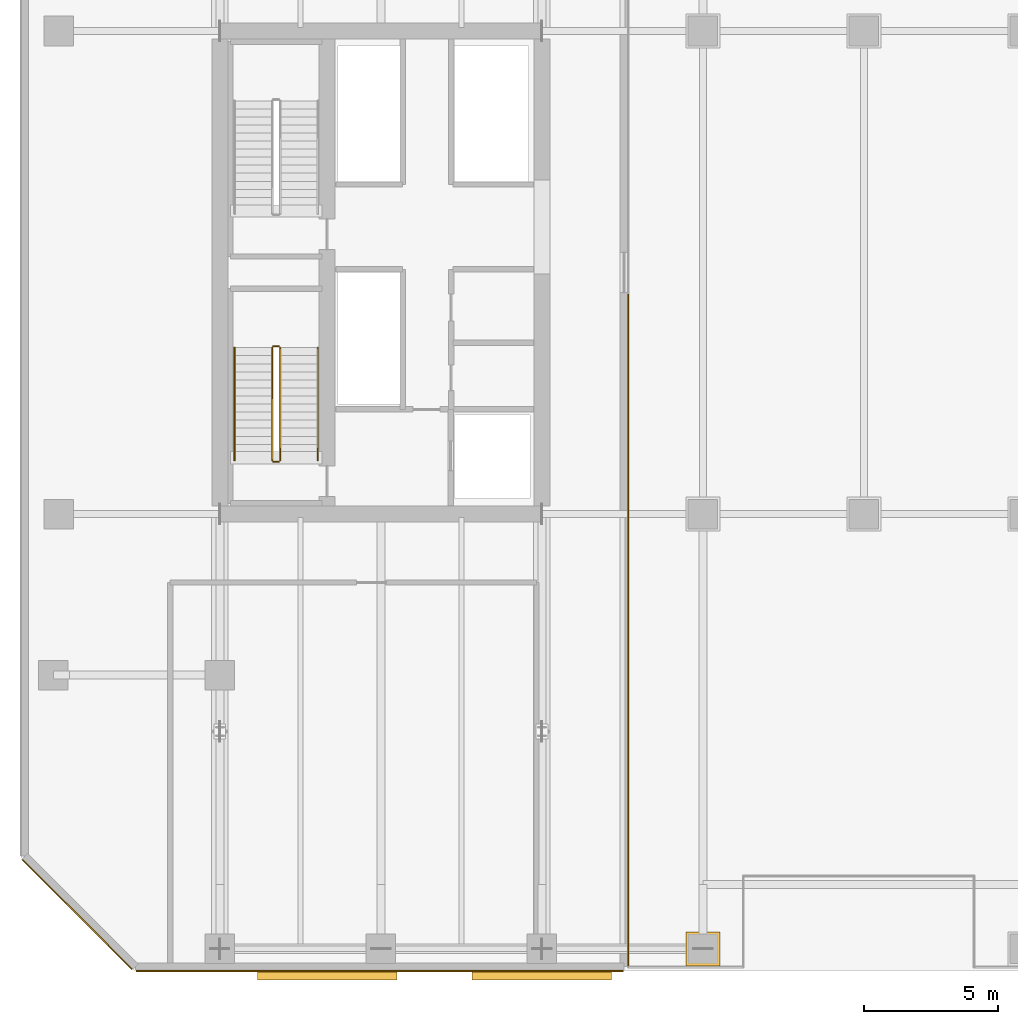
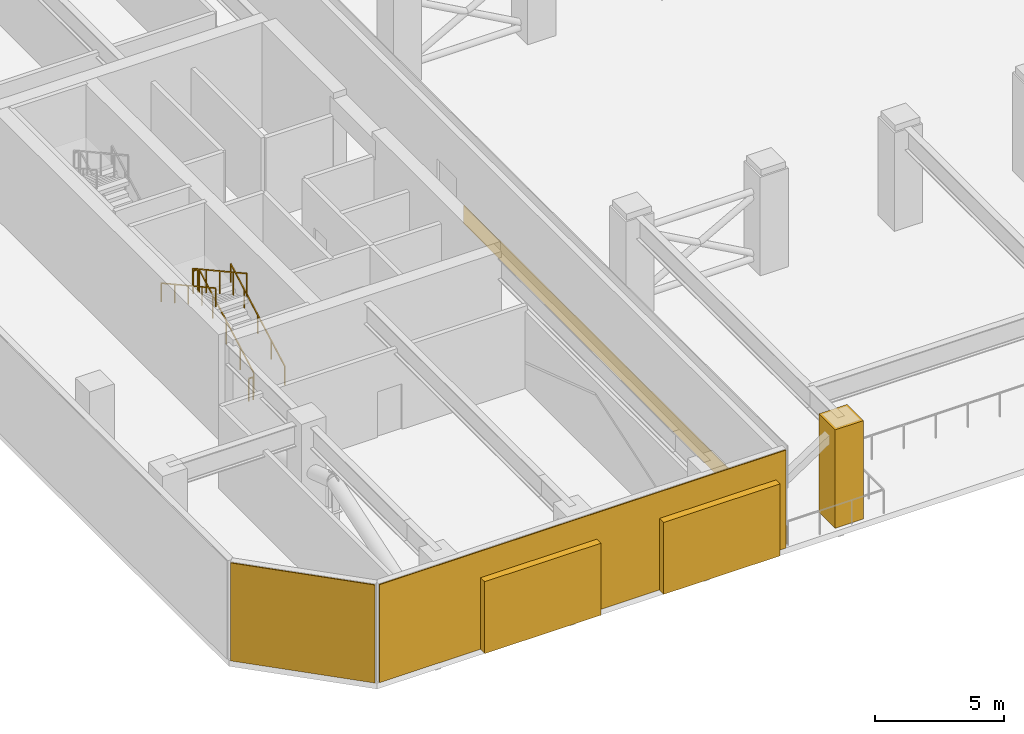
# One storey, part 14 of 22: 6 railings, 4 coverings, 2 shading devices.
"""IFC4 building model written with IfcOpenShell, lengths in metres."""

from ifc_helpers import new_model, si_unit, direction, frame, origin, origin_2d, place, context, subcontext, project, spatial, rectangle, extrude, material, layer, layer_set, type_object, element, save


model = new_model("IFC4")

# Units and contexts
model_context = context("Model", 3, precision=1e-05, world=origin(), true_north=direction((0.0, 1.0)))
body_context = subcontext(model_context, "Body", "Model", "MODEL_VIEW")
ifc_project = project(units=[si_unit("LENGTHUNIT", "METRE"), si_unit("AREAUNIT", "SQUARE_METRE"), si_unit("VOLUMEUNIT", "CUBIC_METRE"), si_unit("PLANEANGLEUNIT", "RADIAN"), si_unit("MASSUNIT", "GRAM", prefix="KILO")], contexts=[model_context])

# Site, building, storey
site_placement = place(None, origin())
site = spatial("IfcSite", under=ifc_project, at=site_placement, CompositionType="ELEMENT")
building_placement = place(site_placement, origin())
building = spatial("IfcBuilding", under=site, at=building_placement, Name="Tanjung Sevakor Pilgrim Tower", CompositionType="ELEMENT")
storey_placement = place(building_placement, frame((0.0, 0.0, 73.260009765625)))
storey = spatial("IfcBuildingStorey", under=building, at=storey_placement, Name="L20", CompositionType="ELEMENT", Elevation=73.260009765625)

# Coverings
ifc_material_1 = material(Name="Reconstructed Limestone Cladding", Category="masonry")
ifc_layer = layer(ifc_material_1, 0.044921875)
ifc_layer_set = layer_set([ifc_layer], Name="COV-CLAD-LIMESTONE")
covering_type = type_object("IfcCoveringType", Name="COV-CLAD-LIMESTONE", PredefinedType="CLADDING", material=ifc_layer_set)
covering_1_placement = place(storey_placement, frame((29.958984375, 7.577392578125, 0.02001953125), z_axis=(0.0, 0.0, 1.0), x_axis=(1.0, 0.0, 0.0)))
element("IfcCovering", 1, at=covering_1_placement, inside=storey, type_object=covering_type, Name="L20 Warm Limestone Wall Cladding EW-RFW-L20-1", PredefinedType="CLADDING", context=body_context, shape_type="SweptSolid", body=[
    extrude(rectangle(XDim=18.162109375, YDim=0.044921875, at=origin_2d()), origin(), (0.0, 0.0, 1.0), 4.6298828125),
])
covering_2_placement = place(storey_placement, frame((39.222412109375, 20.284912109375, 0.009765625), z_axis=(0.0, 0.0, 1.0), x_axis=(0.0, 1.0, 0.0)))
element("IfcCovering", 2, at=covering_2_placement, inside=storey, type_object=covering_type, Name="L20 Warm Limestone Sill Spandrel EW-RFW-L20-2-1", PredefinedType="CLADDING", context=body_context, shape_type="SweptSolid", body=[
    extrude(rectangle(XDim=25.010009765625, YDim=0.044921875, at=origin_2d()), origin(), (0.0, 0.0, 1.0), 0.840087890625),
])
covering_3_placement = place(storey_placement, frame((18.68408203125, 9.68408203125, 0.02001953125), z_axis=(0.0, 0.0, 1.0), x_axis=(0.707106781187, -0.707106781187, 0.0)))
element("IfcCovering", 3, at=covering_3_placement, inside=storey, type_object=covering_type, Name="L20 Warm Limestone Wall Cladding EW-RFW-L20-6", PredefinedType="CLADDING", context=body_context, shape_type="SweptSolid", body=[
    extrude(rectangle(XDim=5.78369140625, YDim=0.044921875, at=origin_2d()), origin(), (0.0, 0.0, 1.0), 4.6298828125),
])
covering_4_placement = place(storey_placement, frame((42.0, 8.39990234375, 0.010009765625), z_axis=(0.0, 0.0, 1.0), x_axis=(1.0, 0.0, 0.0)))
element("IfcCovering", 4, at=covering_4_placement, inside=storey, type_object=covering_type, Name="L20 Portal Colonnade Limestone Casing 31", PredefinedType="CLADDING", context=body_context, shape_type="SweptSolid", body=[
    extrude(rectangle(XDim=1.260009765625, YDim=1.260009765625, at=origin_2d()), origin(), (0.0, 0.0, 1.0), 4.64990234375),
])

# Railings
ifc_material_2 = material(Name="Steel S355J2", Category="steel")
railing_type_1 = type_object("IfcRailingType", Name="RL-STAIR-GUARD", PredefinedType="GUARDRAIL", material=ifc_material_2)
railing_1_placement = place(storey_placement, frame((26.25, 26.60009765625, 0.1650390625)))
element("IfcRailing", 5, at=railing_1_placement, inside=storey, type_object=railing_type_1, Name="L20 TS-W1 stair guard 1", PredefinedType="GUARDRAIL", context=body_context, shape_type="SweptSolid", body=[
    extrude(rectangle(XDim=0.0479, YDim=0.0479), frame((0.0, 0.0, 1.076171875), z_axis=(0.0, 0.876208380975, 0.481932436249), x_axis=(-1.0, 0.0, 0.0)), (0.0, 0.0, 1.0), 4.793212890625),
    extrude(rectangle(XDim=0.042, YDim=0.042), origin(), (0.0, 0.0, 1.0), 1.052001953125),
    extrude(rectangle(XDim=0.042, YDim=0.042), frame((0.0, 1.050048828125, 0.57763671875)), (0.0, 0.0, 1.0), 1.052001953125),
    extrude(rectangle(XDim=0.042, YDim=0.042), frame((0.0, 2.10009765625, 1.155029296875)), (0.0, 0.0, 1.0), 1.052001953125),
    extrude(rectangle(XDim=0.042, YDim=0.042), frame((0.0, 3.14990234375, 1.732421875)), (0.0, 0.0, 1.0), 1.052001953125),
    extrude(rectangle(XDim=0.042, YDim=0.042), frame((0.0, 4.199951171875, 2.31005859375)), (0.0, 0.0, 1.0), 1.052001953125),
])
railing_2_placement = place(storey_placement, frame((26.199951171875, 30.85009765625, 2.47509765625)))
element("IfcRailing", 6, at=railing_2_placement, inside=storey, type_object=railing_type_1, Name="L20 TS-W1 stair guard 2", PredefinedType="GUARDRAIL", context=body_context, shape_type="SweptSolid", body=[
    extrude(rectangle(XDim=0.0479, YDim=0.0479), frame((0.0, 0.0, 1.076171875), z_axis=(-1.0, 0.0, 0.0), x_axis=(0.0, -1.0, 0.0)), (0.0, 0.0, 1.0), 0.199951171875),
    extrude(rectangle(XDim=0.042, YDim=0.042), origin(), (0.0, 0.0, 1.0), 1.052001953125),
    extrude(rectangle(XDim=0.042, YDim=0.042), frame((-0.199951171875, 0.0, 0.0)), (0.0, 0.0, 1.0), 1.052001953125),
])
railing_3_placement = place(storey_placement, frame((25.949951171875, 30.800048828125, 2.639892578125)))
element("IfcRailing", 7, at=railing_3_placement, inside=storey, type_object=railing_type_1, Name="L20 TS-W1 stair guard 3", PredefinedType="GUARDRAIL", context=body_context, shape_type="SweptSolid", body=[
    extrude(rectangle(XDim=0.0479, YDim=0.0479), frame((0.0, 0.0, 1.076171875), z_axis=(0.0, -0.876208380975, 0.481932436249), x_axis=(1.0, 0.0, 0.0)), (0.0, 0.0, 1.0), 4.793212890625),
    extrude(rectangle(XDim=0.042, YDim=0.042), origin(), (0.0, 0.0, 1.0), 1.052001953125),
    extrude(rectangle(XDim=0.042, YDim=0.042), frame((0.0, -1.050048828125, 0.57763671875)), (0.0, 0.0, 1.0), 1.052001953125),
    extrude(rectangle(XDim=0.042, YDim=0.042), frame((0.0, -2.10009765625, 1.155029296875)), (0.0, 0.0, 1.0), 1.052001953125),
    extrude(rectangle(XDim=0.042, YDim=0.042), frame((0.0, -3.14990234375, 1.732421875)), (0.0, 0.0, 1.0), 1.052001953125),
    extrude(rectangle(XDim=0.042, YDim=0.042), frame((0.0, -4.199951171875, 2.31005859375)), (0.0, 0.0, 1.0), 1.052001953125),
])
railing_4_placement = place(storey_placement, frame((26.199951171875, 26.550048828125, 0.0)))
element("IfcRailing", 8, at=railing_4_placement, inside=storey, type_object=railing_type_1, Name="L20 TS-W1 stair guard 4", PredefinedType="GUARDRAIL", context=body_context, shape_type="SweptSolid", body=[
    extrude(rectangle(XDim=0.0479, YDim=0.0479), frame((0.0, 0.0, 1.076171875), z_axis=(-1.0, 0.0, 0.0), x_axis=(0.0, -1.0, 0.0)), (0.0, 0.0, 1.0), 0.199951171875),
    extrude(rectangle(XDim=0.042, YDim=0.042), origin(), (0.0, 0.0, 1.0), 1.052001953125),
    extrude(rectangle(XDim=0.042, YDim=0.042), frame((-0.199951171875, 0.0, 0.0)), (0.0, 0.0, 1.0), 1.052001953125),
])
ifc_material_3 = material(Name="Steel S355J2", Category="steel")
railing_type_2 = type_object("IfcRailingType", Name="RL-STAIR-HAND", PredefinedType="HANDRAIL", material=ifc_material_3)
railing_5_placement = place(storey_placement, frame((27.64990234375, 26.60009765625, 0.1650390625)))
element("IfcRailing", 9, at=railing_5_placement, inside=storey, type_object=railing_type_2, Name="L20 TS-W1 stair handrail 1", PredefinedType="HANDRAIL", context=body_context, shape_type="SweptSolid", body=[
    extrude(rectangle(XDim=0.0479, YDim=0.0479), frame((0.0, 0.0, 0.8759765625), z_axis=(0.0, 0.876208380975, 0.481932436249), x_axis=(-1.0, 0.0, 0.0)), (0.0, 0.0, 1.0), 4.793212890625),
    extrude(rectangle(XDim=0.042, YDim=0.042), origin(), (0.0, 0.0, 1.0), 0.851806640625),
    extrude(rectangle(XDim=0.042, YDim=0.042), frame((0.0, 1.050048828125, 0.57763671875)), (0.0, 0.0, 1.0), 0.851806640625),
    extrude(rectangle(XDim=0.042, YDim=0.042), frame((0.0, 2.10009765625, 1.155029296875)), (0.0, 0.0, 1.0), 0.851806640625),
    extrude(rectangle(XDim=0.042, YDim=0.042), frame((0.0, 3.14990234375, 1.732421875)), (0.0, 0.0, 1.0), 0.851806640625),
    extrude(rectangle(XDim=0.042, YDim=0.042), frame((0.0, 4.199951171875, 2.31005859375)), (0.0, 0.0, 1.0), 0.851806640625),
])
railing_6_placement = place(storey_placement, frame((24.550048828125, 30.800048828125, 2.639892578125)))
element("IfcRailing", 10, at=railing_6_placement, inside=storey, type_object=railing_type_2, Name="L20 TS-W1 stair handrail 2", PredefinedType="HANDRAIL", context=body_context, shape_type="SweptSolid", body=[
    extrude(rectangle(XDim=0.0479, YDim=0.0479), frame((0.0, 0.0, 0.8759765625), z_axis=(0.0, -0.876208380975, 0.481932436249), x_axis=(1.0, 0.0, 0.0)), (0.0, 0.0, 1.0), 4.793212890625),
    extrude(rectangle(XDim=0.042, YDim=0.042), origin(), (0.0, 0.0, 1.0), 0.851806640625),
    extrude(rectangle(XDim=0.042, YDim=0.042), frame((0.0, -1.050048828125, 0.57763671875)), (0.0, 0.0, 1.0), 0.851806640625),
    extrude(rectangle(XDim=0.042, YDim=0.042), frame((0.0, -2.10009765625, 1.155029296875)), (0.0, 0.0, 1.0), 0.851806640625),
    extrude(rectangle(XDim=0.042, YDim=0.042), frame((0.0, -3.14990234375, 1.732421875)), (0.0, 0.0, 1.0), 0.851806640625),
    extrude(rectangle(XDim=0.042, YDim=0.042), frame((0.0, -4.199951171875, 2.31005859375)), (0.0, 0.0, 1.0), 0.851806640625),
])

# Shading devices
ifc_material_4 = material(Name="Anodised Bronze Aluminium 6063-T6", Category="aluminium")
shading_device_type = type_object("IfcShadingDeviceType", Name="SHD-LOUVRE-SLOT", PredefinedType="USERDEFINED", material=ifc_material_4)
for number, where, z_axis, x_axis, name in (
    (11, (28.0, 7.419921875, 0.0), (0.0, 0.0, 1.0), (1.0, 0.0, 0.0), "L20 Plant Wing Acoustic Louvre S-01"),
    (12, (36.0, 7.419921875, 0.0), (0.0, 0.0, 1.0), (1.0, 0.0, 0.0), "L20 Plant Wing Acoustic Louvre S-02"),
):
    element("IfcShadingDevice", number, at=place(storey_placement, frame(where, z_axis=z_axis, x_axis=x_axis)), inside=storey, type_object=shading_device_type, Name=name, ObjectType="LOUVRE", PredefinedType="USERDEFINED", context=body_context, shape_type="SweptSolid", body=[
        extrude(rectangle(XDim=5.199951171875, YDim=0.360107421875, at=origin_2d()), origin(), (0.0, 0.0, 1.0), 3.39990234375),
    ])

save(model, "model.ifc")
